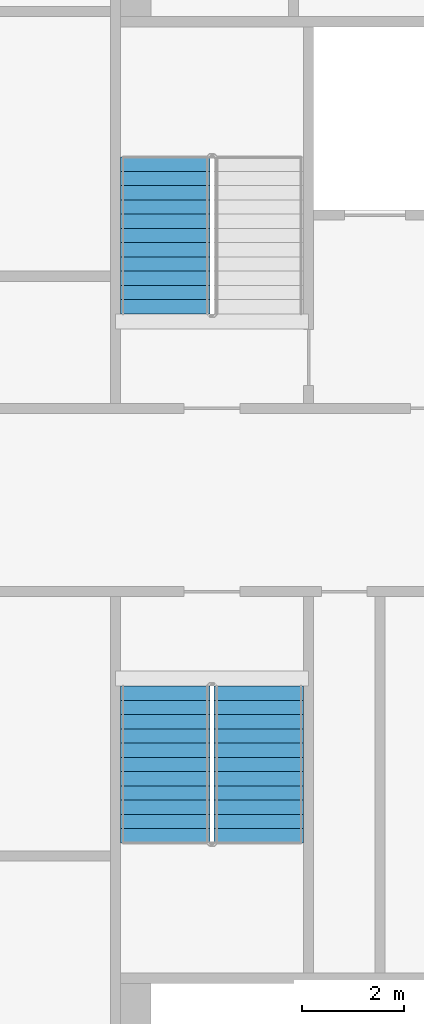
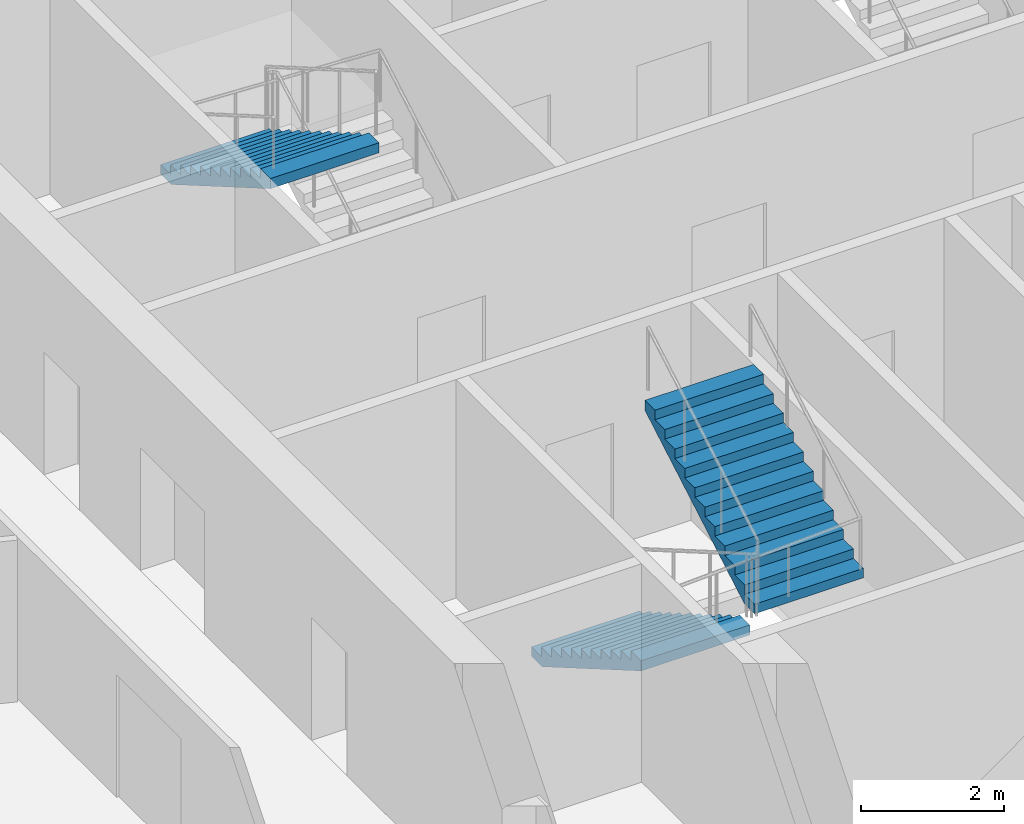
# One storey, part 8 of 15: 3 stair flights, 2 elements without a shape of their own.
"""IFC4 building model written with IfcOpenShell, lengths in metres."""

from ifc_helpers import new_model, si_unit, direction, frame, origin, place, context, subcontext, project, spatial, faceted_brep, material, type_object, element, aggregate, save


model = new_model("IFC4")

# Units and contexts
model_context = context("Model", 3, precision=1e-05, world=origin(), true_north=direction((0.0, 1.0)))
body_context = subcontext(model_context, "Body", "Model", "MODEL_VIEW")
ifc_project = project(units=[si_unit("LENGTHUNIT", "METRE"), si_unit("AREAUNIT", "SQUARE_METRE"), si_unit("VOLUMEUNIT", "CUBIC_METRE"), si_unit("PLANEANGLEUNIT", "RADIAN"), si_unit("MASSUNIT", "GRAM", prefix="KILO")], contexts=[model_context])

# Site, building, storey
site_placement = place(None, origin())
site = spatial("IfcSite", under=ifc_project, at=site_placement, CompositionType="ELEMENT")
building_placement = place(site_placement, origin())
building = spatial("IfcBuilding", under=site, at=building_placement, Name="Tarsis Ring Headquarters", CompositionType="ELEMENT")
storey_placement = place(building_placement, frame((0.0, 0.0, 204.300048828125)))
storey = spatial("IfcBuildingStorey", under=building, at=storey_placement, Name="L47", CompositionType="ELEMENT", Elevation=204.300048828125)

# Stair, stair flight
ifc_material_1 = material(Name="Core stair 1760")
stair_type = type_object("IfcStairType", Name="Core stair 1760", PredefinedType="HALF_TURN_STAIR", material=ifc_material_1)
stair_1_placement = place(storey_placement, origin())
stair_1 = element("IfcStair", 1, at=stair_1_placement, inside=storey, type_object=stair_type, Name="L47 Firefighting stair", PredefinedType="HALF_TURN_STAIR")
ifc_material_2 = material(Name="Concrete C40/50", Category="concrete")
stair_flight_type = type_object("IfcStairFlightType", Name="Core stair flight 1760", PredefinedType="STRAIGHT", material=ifc_material_2)
stair_flight_1_placement = place(storey_placement, frame((-5.419921875, 6.739990234375, 1.949951171875), z_axis=(0.0, 0.0, 1.0), x_axis=(0.0, -1.0, 0.0)))
stair_flight_1 = element("IfcStairFlight", 2, at=stair_flight_1_placement, type_object=stair_flight_type, Name="Stair ST1 flight 2", NumberOfRisers=12, NumberOfTreads=11, PredefinedType="STRAIGHT", RiserHeight=0.1625, TreadLength=0.28, context=body_context, shape_type="Brep", body=[
    faceted_brep([(0.0, 0.8798828125, 0.0), (0.0, 0.8798828125, 0.16259765625), (0.280029296875, 0.8798828125, 0.16259765625), (0.280029296875, 0.8798828125, 0.324951171875), (0.56005859375, 0.8798828125, 0.324951171875), (0.56005859375, 0.8798828125, 0.487548828125), (0.840087890625, 0.8798828125, 0.487548828125), (0.840087890625, 0.8798828125, 0.64990234375), (1.1201171875, 0.8798828125, 0.64990234375), (1.1201171875, 0.8798828125, 0.8125), (1.39990234375, 0.8798828125, 0.8125), (1.39990234375, 0.8798828125, 0.97509765625), (1.679931640625, 0.8798828125, 0.97509765625), (1.679931640625, 0.8798828125, 1.137451171875), (1.9599609375, 0.8798828125, 1.137451171875), (1.9599609375, 0.8798828125, 1.300048828125), (2.239990234375, 0.8798828125, 1.300048828125), (2.239990234375, 0.8798828125, 1.46240234375), (2.52001953125, 0.8798828125, 1.46240234375), (2.52001953125, 0.8798828125, 1.625), (2.800048828125, 0.8798828125, 1.625), (2.800048828125, 0.8798828125, 1.78759765625), (3.080078125, 0.8798828125, 1.78759765625), (3.080078125, 0.8798828125, 1.6142578125), (0.298583984375, 0.8798828125, 0.0), (0.298583984375, -0.8798828125, 0.0), (3.080078125, -0.8798828125, 1.6142578125), (3.080078125, -0.8798828125, 1.78759765625), (2.800048828125, -0.8798828125, 1.78759765625), (2.800048828125, -0.8798828125, 1.625), (2.52001953125, -0.8798828125, 1.625), (2.52001953125, -0.8798828125, 1.46240234375), (2.239990234375, -0.8798828125, 1.46240234375), (2.239990234375, -0.8798828125, 1.300048828125), (1.9599609375, -0.8798828125, 1.300048828125), (1.9599609375, -0.8798828125, 1.137451171875), (1.679931640625, -0.8798828125, 1.137451171875), (1.679931640625, -0.8798828125, 0.97509765625), (1.39990234375, -0.8798828125, 0.97509765625), (1.39990234375, -0.8798828125, 0.8125), (1.1201171875, -0.8798828125, 0.8125), (1.1201171875, -0.8798828125, 0.64990234375), (0.840087890625, -0.8798828125, 0.64990234375), (0.840087890625, -0.8798828125, 0.487548828125), (0.56005859375, -0.8798828125, 0.487548828125), (0.56005859375, -0.8798828125, 0.324951171875), (0.280029296875, -0.8798828125, 0.324951171875), (0.280029296875, -0.8798828125, 0.16259765625), (0.0, -0.8798828125, 0.16259765625), (0.0, -0.8798828125, 0.0), (0.0, -0.43994140625, 0.16259765625), (0.0, -0.43994140625, 0.0), (0.0, 0.0, 0.16259765625), (0.0, 0.0, 0.0), (0.0, 0.43994140625, 0.16259765625), (0.0, 0.43994140625, 0.0), (0.280029296875, -0.43994140625, 0.16259765625), (0.280029296875, 0.0, 0.16259765625), (0.280029296875, 0.43994140625, 0.16259765625), (0.280029296875, -0.43994140625, 0.324951171875), (0.280029296875, 0.0, 0.324951171875), (0.280029296875, 0.43994140625, 0.324951171875), (0.56005859375, -0.43994140625, 0.324951171875), (0.56005859375, 0.0, 0.324951171875), (0.56005859375, 0.43994140625, 0.324951171875), (0.56005859375, -0.43994140625, 0.487548828125), (0.56005859375, 0.0, 0.487548828125), (0.56005859375, 0.43994140625, 0.487548828125), (0.840087890625, -0.43994140625, 0.487548828125), (0.840087890625, 0.0, 0.487548828125), (0.840087890625, 0.43994140625, 0.487548828125), (0.840087890625, -0.43994140625, 0.64990234375), (0.840087890625, 0.0, 0.64990234375), (0.840087890625, 0.43994140625, 0.64990234375), (1.1201171875, -0.43994140625, 0.64990234375), (1.1201171875, 0.0, 0.64990234375), (1.1201171875, 0.43994140625, 0.64990234375), (1.1201171875, -0.43994140625, 0.8125), (1.1201171875, 0.0, 0.8125), (1.1201171875, 0.43994140625, 0.8125), (1.39990234375, -0.43994140625, 0.8125), (1.39990234375, 0.0, 0.8125), (1.39990234375, 0.43994140625, 0.8125), (1.39990234375, -0.43994140625, 0.97509765625), (1.39990234375, 0.0, 0.97509765625), (1.39990234375, 0.43994140625, 0.97509765625), (1.679931640625, -0.43994140625, 0.97509765625), (1.679931640625, 0.0, 0.97509765625), (1.679931640625, 0.43994140625, 0.97509765625), (1.679931640625, -0.43994140625, 1.137451171875), (1.679931640625, 0.0, 1.137451171875), (1.679931640625, 0.43994140625, 1.137451171875), (1.9599609375, -0.43994140625, 1.137451171875), (1.9599609375, 0.0, 1.137451171875), (1.9599609375, 0.43994140625, 1.137451171875), (1.9599609375, -0.43994140625, 1.300048828125), (1.9599609375, 0.0, 1.300048828125), (1.9599609375, 0.43994140625, 1.300048828125), (2.239990234375, -0.43994140625, 1.300048828125), (2.239990234375, 0.0, 1.300048828125), (2.239990234375, 0.43994140625, 1.300048828125), (2.239990234375, -0.43994140625, 1.46240234375), (2.239990234375, 0.0, 1.46240234375), (2.239990234375, 0.43994140625, 1.46240234375), (2.52001953125, -0.43994140625, 1.46240234375), (2.52001953125, 0.0, 1.46240234375), (2.52001953125, 0.43994140625, 1.46240234375), (2.52001953125, -0.43994140625, 1.625), (2.52001953125, 0.0, 1.625), (2.52001953125, 0.43994140625, 1.625), (2.800048828125, -0.43994140625, 1.625), (2.800048828125, 0.0, 1.625), (2.800048828125, 0.43994140625, 1.625), (2.800048828125, -0.43994140625, 1.78759765625), (2.800048828125, 0.0, 1.78759765625), (2.800048828125, 0.43994140625, 1.78759765625), (3.080078125, -0.43994140625, 1.78759765625), (3.080078125, 0.0, 1.78759765625), (3.080078125, 0.43994140625, 1.78759765625), (3.080078125, -0.43994140625, 1.6142578125), (3.080078125, 0.0, 1.6142578125), (3.080078125, 0.43994140625, 1.6142578125), (0.298583984375, -0.43994140625, 0.0), (0.298583984375, 0.0, 0.0), (0.298583984375, 0.43994140625, 0.0)], [[[0, 1, 2, 3, 4, 5, 6, 7, 8, 9, 10, 11, 12, 13, 14, 15, 16, 17, 18, 19, 20, 21, 22, 23, 24]], [[25, 26, 27, 28, 29, 30, 31, 32, 33, 34, 35, 36, 37, 38, 39, 40, 41, 42, 43, 44, 45, 46, 47, 48, 49]], [[49, 48, 50, 51]], [[51, 50, 52, 53]], [[53, 52, 54, 55]], [[55, 54, 1, 0]], [[48, 47, 56, 50]], [[50, 56, 57, 52]], [[52, 57, 58, 54]], [[54, 58, 2, 1]], [[47, 46, 59, 56]], [[56, 59, 60, 57]], [[57, 60, 61, 58]], [[58, 61, 3, 2]], [[46, 45, 62, 59]], [[59, 62, 63, 60]], [[60, 63, 64, 61]], [[61, 64, 4, 3]], [[45, 44, 65, 62]], [[62, 65, 66, 63]], [[63, 66, 67, 64]], [[64, 67, 5, 4]], [[44, 43, 68, 65]], [[65, 68, 69, 66]], [[66, 69, 70, 67]], [[67, 70, 6, 5]], [[43, 42, 71, 68]], [[68, 71, 72, 69]], [[69, 72, 73, 70]], [[70, 73, 7, 6]], [[42, 41, 74, 71]], [[71, 74, 75, 72]], [[72, 75, 76, 73]], [[73, 76, 8, 7]], [[41, 40, 77, 74]], [[74, 77, 78, 75]], [[75, 78, 79, 76]], [[76, 79, 9, 8]], [[40, 39, 80, 77]], [[77, 80, 81, 78]], [[78, 81, 82, 79]], [[79, 82, 10, 9]], [[39, 38, 83, 80]], [[80, 83, 84, 81]], [[81, 84, 85, 82]], [[82, 85, 11, 10]], [[38, 37, 86, 83]], [[83, 86, 87, 84]], [[84, 87, 88, 85]], [[85, 88, 12, 11]], [[37, 36, 89, 86]], [[86, 89, 90, 87]], [[87, 90, 91, 88]], [[88, 91, 13, 12]], [[36, 35, 92, 89]], [[89, 92, 93, 90]], [[90, 93, 94, 91]], [[91, 94, 14, 13]], [[35, 34, 95, 92]], [[92, 95, 96, 93]], [[93, 96, 97, 94]], [[94, 97, 15, 14]], [[34, 33, 98, 95]], [[95, 98, 99, 96]], [[96, 99, 100, 97]], [[97, 100, 16, 15]], [[33, 32, 101, 98]], [[98, 101, 102, 99]], [[99, 102, 103, 100]], [[100, 103, 17, 16]], [[32, 31, 104, 101]], [[101, 104, 105, 102]], [[102, 105, 106, 103]], [[103, 106, 18, 17]], [[31, 30, 107, 104]], [[104, 107, 108, 105]], [[105, 108, 109, 106]], [[106, 109, 19, 18]], [[30, 29, 110, 107]], [[107, 110, 111, 108]], [[108, 111, 112, 109]], [[109, 112, 20, 19]], [[29, 28, 113, 110]], [[110, 113, 114, 111]], [[111, 114, 115, 112]], [[112, 115, 21, 20]], [[28, 27, 116, 113]], [[113, 116, 117, 114]], [[114, 117, 118, 115]], [[115, 118, 22, 21]], [[27, 26, 119, 116]], [[116, 119, 120, 117]], [[117, 120, 121, 118]], [[118, 121, 23, 22]], [[26, 25, 122, 119]], [[119, 122, 123, 120]], [[120, 123, 124, 121]], [[121, 124, 24, 23]], [[25, 49, 51, 122]], [[122, 51, 53, 123]], [[123, 53, 55, 124]], [[124, 55, 0, 24]]]),
])
aggregate(stair_1, [stair_flight_1])

# Stair, stair flights
stair_2_placement = place(storey_placement, origin())
stair_2 = element("IfcStair", 3, at=stair_2_placement, inside=storey, type_object=stair_type, Name="L47 Exit stair C", PredefinedType="HALF_TURN_STAIR")
stair_flight_2_placement = place(storey_placement, frame((-5.419921875, -3.659912109375, 0.0), z_axis=(0.0, 0.0, 1.0), x_axis=(0.0, -1.0, 0.0)))
stair_flight_2 = element("IfcStairFlight", 4, at=stair_flight_2_placement, type_object=stair_flight_type, Name="Stair ST3 flight 1", NumberOfRisers=12, NumberOfTreads=11, PredefinedType="STRAIGHT", RiserHeight=0.1625, TreadLength=0.28, context=body_context, shape_type="Brep", body=[
    faceted_brep([(0.0, 0.8798828125, 0.0), (0.0, 0.8798828125, 0.16259765625), (0.280029296875, 0.8798828125, 0.16259765625), (0.280029296875, 0.8798828125, 0.324951171875), (0.56005859375, 0.8798828125, 0.324951171875), (0.56005859375, 0.8798828125, 0.487548828125), (0.840087890625, 0.8798828125, 0.487548828125), (0.840087890625, 0.8798828125, 0.64990234375), (1.1201171875, 0.8798828125, 0.64990234375), (1.1201171875, 0.8798828125, 0.8125), (1.39990234375, 0.8798828125, 0.8125), (1.39990234375, 0.8798828125, 0.97509765625), (1.679931640625, 0.8798828125, 0.97509765625), (1.679931640625, 0.8798828125, 1.137451171875), (1.9599609375, 0.8798828125, 1.137451171875), (1.9599609375, 0.8798828125, 1.300048828125), (2.239990234375, 0.8798828125, 1.300048828125), (2.239990234375, 0.8798828125, 1.46240234375), (2.52001953125, 0.8798828125, 1.46240234375), (2.52001953125, 0.8798828125, 1.625), (2.800048828125, 0.8798828125, 1.625), (2.800048828125, 0.8798828125, 1.78759765625), (3.080078125, 0.8798828125, 1.78759765625), (3.080078125, 0.8798828125, 1.6142578125), (0.298583984375, 0.8798828125, 0.0), (0.298583984375, -0.8798828125, 0.0), (3.080078125, -0.8798828125, 1.6142578125), (3.080078125, -0.8798828125, 1.78759765625), (2.800048828125, -0.8798828125, 1.78759765625), (2.800048828125, -0.8798828125, 1.625), (2.52001953125, -0.8798828125, 1.625), (2.52001953125, -0.8798828125, 1.46240234375), (2.239990234375, -0.8798828125, 1.46240234375), (2.239990234375, -0.8798828125, 1.300048828125), (1.9599609375, -0.8798828125, 1.300048828125), (1.9599609375, -0.8798828125, 1.137451171875), (1.679931640625, -0.8798828125, 1.137451171875), (1.679931640625, -0.8798828125, 0.97509765625), (1.39990234375, -0.8798828125, 0.97509765625), (1.39990234375, -0.8798828125, 0.8125), (1.1201171875, -0.8798828125, 0.8125), (1.1201171875, -0.8798828125, 0.64990234375), (0.840087890625, -0.8798828125, 0.64990234375), (0.840087890625, -0.8798828125, 0.487548828125), (0.56005859375, -0.8798828125, 0.487548828125), (0.56005859375, -0.8798828125, 0.324951171875), (0.280029296875, -0.8798828125, 0.324951171875), (0.280029296875, -0.8798828125, 0.16259765625), (0.0, -0.8798828125, 0.16259765625), (0.0, -0.8798828125, 0.0), (0.0, -0.43994140625, 0.16259765625), (0.0, -0.43994140625, 0.0), (0.0, 0.0, 0.16259765625), (0.0, 0.0, 0.0), (0.0, 0.43994140625, 0.16259765625), (0.0, 0.43994140625, 0.0), (0.280029296875, -0.43994140625, 0.16259765625), (0.280029296875, 0.0, 0.16259765625), (0.280029296875, 0.43994140625, 0.16259765625), (0.280029296875, -0.43994140625, 0.324951171875), (0.280029296875, 0.0, 0.324951171875), (0.280029296875, 0.43994140625, 0.324951171875), (0.56005859375, -0.43994140625, 0.324951171875), (0.56005859375, 0.0, 0.324951171875), (0.56005859375, 0.43994140625, 0.324951171875), (0.56005859375, -0.43994140625, 0.487548828125), (0.56005859375, 0.0, 0.487548828125), (0.56005859375, 0.43994140625, 0.487548828125), (0.840087890625, -0.43994140625, 0.487548828125), (0.840087890625, 0.0, 0.487548828125), (0.840087890625, 0.43994140625, 0.487548828125), (0.840087890625, -0.43994140625, 0.64990234375), (0.840087890625, 0.0, 0.64990234375), (0.840087890625, 0.43994140625, 0.64990234375), (1.1201171875, -0.43994140625, 0.64990234375), (1.1201171875, 0.0, 0.64990234375), (1.1201171875, 0.43994140625, 0.64990234375), (1.1201171875, -0.43994140625, 0.8125), (1.1201171875, 0.0, 0.8125), (1.1201171875, 0.43994140625, 0.8125), (1.39990234375, -0.43994140625, 0.8125), (1.39990234375, 0.0, 0.8125), (1.39990234375, 0.43994140625, 0.8125), (1.39990234375, -0.43994140625, 0.97509765625), (1.39990234375, 0.0, 0.97509765625), (1.39990234375, 0.43994140625, 0.97509765625), (1.679931640625, -0.43994140625, 0.97509765625), (1.679931640625, 0.0, 0.97509765625), (1.679931640625, 0.43994140625, 0.97509765625), (1.679931640625, -0.43994140625, 1.137451171875), (1.679931640625, 0.0, 1.137451171875), (1.679931640625, 0.43994140625, 1.137451171875), (1.9599609375, -0.43994140625, 1.137451171875), (1.9599609375, 0.0, 1.137451171875), (1.9599609375, 0.43994140625, 1.137451171875), (1.9599609375, -0.43994140625, 1.300048828125), (1.9599609375, 0.0, 1.300048828125), (1.9599609375, 0.43994140625, 1.300048828125), (2.239990234375, -0.43994140625, 1.300048828125), (2.239990234375, 0.0, 1.300048828125), (2.239990234375, 0.43994140625, 1.300048828125), (2.239990234375, -0.43994140625, 1.46240234375), (2.239990234375, 0.0, 1.46240234375), (2.239990234375, 0.43994140625, 1.46240234375), (2.52001953125, -0.43994140625, 1.46240234375), (2.52001953125, 0.0, 1.46240234375), (2.52001953125, 0.43994140625, 1.46240234375), (2.52001953125, -0.43994140625, 1.625), (2.52001953125, 0.0, 1.625), (2.52001953125, 0.43994140625, 1.625), (2.800048828125, -0.43994140625, 1.625), (2.800048828125, 0.0, 1.625), (2.800048828125, 0.43994140625, 1.625), (2.800048828125, -0.43994140625, 1.78759765625), (2.800048828125, 0.0, 1.78759765625), (2.800048828125, 0.43994140625, 1.78759765625), (3.080078125, -0.43994140625, 1.78759765625), (3.080078125, 0.0, 1.78759765625), (3.080078125, 0.43994140625, 1.78759765625), (3.080078125, -0.43994140625, 1.6142578125), (3.080078125, 0.0, 1.6142578125), (3.080078125, 0.43994140625, 1.6142578125), (0.298583984375, -0.43994140625, 0.0), (0.298583984375, 0.0, 0.0), (0.298583984375, 0.43994140625, 0.0)], [[[0, 1, 2, 3, 4, 5, 6, 7, 8, 9, 10, 11, 12, 13, 14, 15, 16, 17, 18, 19, 20, 21, 22, 23, 24]], [[25, 26, 27, 28, 29, 30, 31, 32, 33, 34, 35, 36, 37, 38, 39, 40, 41, 42, 43, 44, 45, 46, 47, 48, 49]], [[49, 48, 50, 51]], [[51, 50, 52, 53]], [[53, 52, 54, 55]], [[55, 54, 1, 0]], [[48, 47, 56, 50]], [[50, 56, 57, 52]], [[52, 57, 58, 54]], [[54, 58, 2, 1]], [[47, 46, 59, 56]], [[56, 59, 60, 57]], [[57, 60, 61, 58]], [[58, 61, 3, 2]], [[46, 45, 62, 59]], [[59, 62, 63, 60]], [[60, 63, 64, 61]], [[61, 64, 4, 3]], [[45, 44, 65, 62]], [[62, 65, 66, 63]], [[63, 66, 67, 64]], [[64, 67, 5, 4]], [[44, 43, 68, 65]], [[65, 68, 69, 66]], [[66, 69, 70, 67]], [[67, 70, 6, 5]], [[43, 42, 71, 68]], [[68, 71, 72, 69]], [[69, 72, 73, 70]], [[70, 73, 7, 6]], [[42, 41, 74, 71]], [[71, 74, 75, 72]], [[72, 75, 76, 73]], [[73, 76, 8, 7]], [[41, 40, 77, 74]], [[74, 77, 78, 75]], [[75, 78, 79, 76]], [[76, 79, 9, 8]], [[40, 39, 80, 77]], [[77, 80, 81, 78]], [[78, 81, 82, 79]], [[79, 82, 10, 9]], [[39, 38, 83, 80]], [[80, 83, 84, 81]], [[81, 84, 85, 82]], [[82, 85, 11, 10]], [[38, 37, 86, 83]], [[83, 86, 87, 84]], [[84, 87, 88, 85]], [[85, 88, 12, 11]], [[37, 36, 89, 86]], [[86, 89, 90, 87]], [[87, 90, 91, 88]], [[88, 91, 13, 12]], [[36, 35, 92, 89]], [[89, 92, 93, 90]], [[90, 93, 94, 91]], [[91, 94, 14, 13]], [[35, 34, 95, 92]], [[92, 95, 96, 93]], [[93, 96, 97, 94]], [[94, 97, 15, 14]], [[34, 33, 98, 95]], [[95, 98, 99, 96]], [[96, 99, 100, 97]], [[97, 100, 16, 15]], [[33, 32, 101, 98]], [[98, 101, 102, 99]], [[99, 102, 103, 100]], [[100, 103, 17, 16]], [[32, 31, 104, 101]], [[101, 104, 105, 102]], [[102, 105, 106, 103]], [[103, 106, 18, 17]], [[31, 30, 107, 104]], [[104, 107, 108, 105]], [[105, 108, 109, 106]], [[106, 109, 19, 18]], [[30, 29, 110, 107]], [[107, 110, 111, 108]], [[108, 111, 112, 109]], [[109, 112, 20, 19]], [[29, 28, 113, 110]], [[110, 113, 114, 111]], [[111, 114, 115, 112]], [[112, 115, 21, 20]], [[28, 27, 116, 113]], [[113, 116, 117, 114]], [[114, 117, 118, 115]], [[115, 118, 22, 21]], [[27, 26, 119, 116]], [[116, 119, 120, 117]], [[117, 120, 121, 118]], [[118, 121, 23, 22]], [[26, 25, 122, 119]], [[119, 122, 123, 120]], [[120, 123, 124, 121]], [[121, 124, 24, 23]], [[25, 49, 51, 122]], [[122, 51, 53, 123]], [[123, 53, 55, 124]], [[124, 55, 0, 24]]]),
])
stair_flight_3_placement = place(storey_placement, frame((-3.580078125, -6.739990234375, 1.949951171875), z_axis=(0.0, 0.0, 1.0), x_axis=(0.0, 1.0, 0.0)))
stair_flight_3 = element("IfcStairFlight", 5, at=stair_flight_3_placement, type_object=stair_flight_type, Name="Stair ST3 flight 2", NumberOfRisers=12, NumberOfTreads=11, PredefinedType="STRAIGHT", RiserHeight=0.1625, TreadLength=0.28, context=body_context, shape_type="Brep", body=[
    faceted_brep([(0.0, 0.8798828125, 0.0), (0.0, 0.8798828125, 0.16259765625), (0.280029296875, 0.8798828125, 0.16259765625), (0.280029296875, 0.8798828125, 0.324951171875), (0.56005859375, 0.8798828125, 0.324951171875), (0.56005859375, 0.8798828125, 0.487548828125), (0.840087890625, 0.8798828125, 0.487548828125), (0.840087890625, 0.8798828125, 0.64990234375), (1.1201171875, 0.8798828125, 0.64990234375), (1.1201171875, 0.8798828125, 0.8125), (1.39990234375, 0.8798828125, 0.8125), (1.39990234375, 0.8798828125, 0.97509765625), (1.679931640625, 0.8798828125, 0.97509765625), (1.679931640625, 0.8798828125, 1.137451171875), (1.9599609375, 0.8798828125, 1.137451171875), (1.9599609375, 0.8798828125, 1.300048828125), (2.239990234375, 0.8798828125, 1.300048828125), (2.239990234375, 0.8798828125, 1.46240234375), (2.52001953125, 0.8798828125, 1.46240234375), (2.52001953125, 0.8798828125, 1.625), (2.800048828125, 0.8798828125, 1.625), (2.800048828125, 0.8798828125, 1.78759765625), (3.080078125, 0.8798828125, 1.78759765625), (3.080078125, 0.8798828125, 1.6142578125), (0.298583984375, 0.8798828125, 0.0), (0.298583984375, -0.8798828125, 0.0), (3.080078125, -0.8798828125, 1.6142578125), (3.080078125, -0.8798828125, 1.78759765625), (2.800048828125, -0.8798828125, 1.78759765625), (2.800048828125, -0.8798828125, 1.625), (2.52001953125, -0.8798828125, 1.625), (2.52001953125, -0.8798828125, 1.46240234375), (2.239990234375, -0.8798828125, 1.46240234375), (2.239990234375, -0.8798828125, 1.300048828125), (1.9599609375, -0.8798828125, 1.300048828125), (1.9599609375, -0.8798828125, 1.137451171875), (1.679931640625, -0.8798828125, 1.137451171875), (1.679931640625, -0.8798828125, 0.97509765625), (1.39990234375, -0.8798828125, 0.97509765625), (1.39990234375, -0.8798828125, 0.8125), (1.1201171875, -0.8798828125, 0.8125), (1.1201171875, -0.8798828125, 0.64990234375), (0.840087890625, -0.8798828125, 0.64990234375), (0.840087890625, -0.8798828125, 0.487548828125), (0.56005859375, -0.8798828125, 0.487548828125), (0.56005859375, -0.8798828125, 0.324951171875), (0.280029296875, -0.8798828125, 0.324951171875), (0.280029296875, -0.8798828125, 0.16259765625), (0.0, -0.8798828125, 0.16259765625), (0.0, -0.8798828125, 0.0), (0.0, -0.43994140625, 0.16259765625), (0.0, -0.43994140625, 0.0), (0.0, 0.0, 0.16259765625), (0.0, 0.0, 0.0), (0.0, 0.43994140625, 0.16259765625), (0.0, 0.43994140625, 0.0), (0.280029296875, -0.43994140625, 0.16259765625), (0.280029296875, 0.0, 0.16259765625), (0.280029296875, 0.43994140625, 0.16259765625), (0.280029296875, -0.43994140625, 0.324951171875), (0.280029296875, 0.0, 0.324951171875), (0.280029296875, 0.43994140625, 0.324951171875), (0.56005859375, -0.43994140625, 0.324951171875), (0.56005859375, 0.0, 0.324951171875), (0.56005859375, 0.43994140625, 0.324951171875), (0.56005859375, -0.43994140625, 0.487548828125), (0.56005859375, 0.0, 0.487548828125), (0.56005859375, 0.43994140625, 0.487548828125), (0.840087890625, -0.43994140625, 0.487548828125), (0.840087890625, 0.0, 0.487548828125), (0.840087890625, 0.43994140625, 0.487548828125), (0.840087890625, -0.43994140625, 0.64990234375), (0.840087890625, 0.0, 0.64990234375), (0.840087890625, 0.43994140625, 0.64990234375), (1.1201171875, -0.43994140625, 0.64990234375), (1.1201171875, 0.0, 0.64990234375), (1.1201171875, 0.43994140625, 0.64990234375), (1.1201171875, -0.43994140625, 0.8125), (1.1201171875, 0.0, 0.8125), (1.1201171875, 0.43994140625, 0.8125), (1.39990234375, -0.43994140625, 0.8125), (1.39990234375, 0.0, 0.8125), (1.39990234375, 0.43994140625, 0.8125), (1.39990234375, -0.43994140625, 0.97509765625), (1.39990234375, 0.0, 0.97509765625), (1.39990234375, 0.43994140625, 0.97509765625), (1.679931640625, -0.43994140625, 0.97509765625), (1.679931640625, 0.0, 0.97509765625), (1.679931640625, 0.43994140625, 0.97509765625), (1.679931640625, -0.43994140625, 1.137451171875), (1.679931640625, 0.0, 1.137451171875), (1.679931640625, 0.43994140625, 1.137451171875), (1.9599609375, -0.43994140625, 1.137451171875), (1.9599609375, 0.0, 1.137451171875), (1.9599609375, 0.43994140625, 1.137451171875), (1.9599609375, -0.43994140625, 1.300048828125), (1.9599609375, 0.0, 1.300048828125), (1.9599609375, 0.43994140625, 1.300048828125), (2.239990234375, -0.43994140625, 1.300048828125), (2.239990234375, 0.0, 1.300048828125), (2.239990234375, 0.43994140625, 1.300048828125), (2.239990234375, -0.43994140625, 1.46240234375), (2.239990234375, 0.0, 1.46240234375), (2.239990234375, 0.43994140625, 1.46240234375), (2.52001953125, -0.43994140625, 1.46240234375), (2.52001953125, 0.0, 1.46240234375), (2.52001953125, 0.43994140625, 1.46240234375), (2.52001953125, -0.43994140625, 1.625), (2.52001953125, 0.0, 1.625), (2.52001953125, 0.43994140625, 1.625), (2.800048828125, -0.43994140625, 1.625), (2.800048828125, 0.0, 1.625), (2.800048828125, 0.43994140625, 1.625), (2.800048828125, -0.43994140625, 1.78759765625), (2.800048828125, 0.0, 1.78759765625), (2.800048828125, 0.43994140625, 1.78759765625), (3.080078125, -0.43994140625, 1.78759765625), (3.080078125, 0.0, 1.78759765625), (3.080078125, 0.43994140625, 1.78759765625), (3.080078125, -0.43994140625, 1.6142578125), (3.080078125, 0.0, 1.6142578125), (3.080078125, 0.43994140625, 1.6142578125), (0.298583984375, -0.43994140625, 0.0), (0.298583984375, 0.0, 0.0), (0.298583984375, 0.43994140625, 0.0)], [[[0, 1, 2, 3, 4, 5, 6, 7, 8, 9, 10, 11, 12, 13, 14, 15, 16, 17, 18, 19, 20, 21, 22, 23, 24]], [[25, 26, 27, 28, 29, 30, 31, 32, 33, 34, 35, 36, 37, 38, 39, 40, 41, 42, 43, 44, 45, 46, 47, 48, 49]], [[49, 48, 50, 51]], [[51, 50, 52, 53]], [[53, 52, 54, 55]], [[55, 54, 1, 0]], [[48, 47, 56, 50]], [[50, 56, 57, 52]], [[52, 57, 58, 54]], [[54, 58, 2, 1]], [[47, 46, 59, 56]], [[56, 59, 60, 57]], [[57, 60, 61, 58]], [[58, 61, 3, 2]], [[46, 45, 62, 59]], [[59, 62, 63, 60]], [[60, 63, 64, 61]], [[61, 64, 4, 3]], [[45, 44, 65, 62]], [[62, 65, 66, 63]], [[63, 66, 67, 64]], [[64, 67, 5, 4]], [[44, 43, 68, 65]], [[65, 68, 69, 66]], [[66, 69, 70, 67]], [[67, 70, 6, 5]], [[43, 42, 71, 68]], [[68, 71, 72, 69]], [[69, 72, 73, 70]], [[70, 73, 7, 6]], [[42, 41, 74, 71]], [[71, 74, 75, 72]], [[72, 75, 76, 73]], [[73, 76, 8, 7]], [[41, 40, 77, 74]], [[74, 77, 78, 75]], [[75, 78, 79, 76]], [[76, 79, 9, 8]], [[40, 39, 80, 77]], [[77, 80, 81, 78]], [[78, 81, 82, 79]], [[79, 82, 10, 9]], [[39, 38, 83, 80]], [[80, 83, 84, 81]], [[81, 84, 85, 82]], [[82, 85, 11, 10]], [[38, 37, 86, 83]], [[83, 86, 87, 84]], [[84, 87, 88, 85]], [[85, 88, 12, 11]], [[37, 36, 89, 86]], [[86, 89, 90, 87]], [[87, 90, 91, 88]], [[88, 91, 13, 12]], [[36, 35, 92, 89]], [[89, 92, 93, 90]], [[90, 93, 94, 91]], [[91, 94, 14, 13]], [[35, 34, 95, 92]], [[92, 95, 96, 93]], [[93, 96, 97, 94]], [[94, 97, 15, 14]], [[34, 33, 98, 95]], [[95, 98, 99, 96]], [[96, 99, 100, 97]], [[97, 100, 16, 15]], [[33, 32, 101, 98]], [[98, 101, 102, 99]], [[99, 102, 103, 100]], [[100, 103, 17, 16]], [[32, 31, 104, 101]], [[101, 104, 105, 102]], [[102, 105, 106, 103]], [[103, 106, 18, 17]], [[31, 30, 107, 104]], [[104, 107, 108, 105]], [[105, 108, 109, 106]], [[106, 109, 19, 18]], [[30, 29, 110, 107]], [[107, 110, 111, 108]], [[108, 111, 112, 109]], [[109, 112, 20, 19]], [[29, 28, 113, 110]], [[110, 113, 114, 111]], [[111, 114, 115, 112]], [[112, 115, 21, 20]], [[28, 27, 116, 113]], [[113, 116, 117, 114]], [[114, 117, 118, 115]], [[115, 118, 22, 21]], [[27, 26, 119, 116]], [[116, 119, 120, 117]], [[117, 120, 121, 118]], [[118, 121, 23, 22]], [[26, 25, 122, 119]], [[119, 122, 123, 120]], [[120, 123, 124, 121]], [[121, 124, 24, 23]], [[25, 49, 51, 122]], [[122, 51, 53, 123]], [[123, 53, 55, 124]], [[124, 55, 0, 24]]]),
])
aggregate(stair_2, [stair_flight_2, stair_flight_3])

save(model, "model.ifc")
